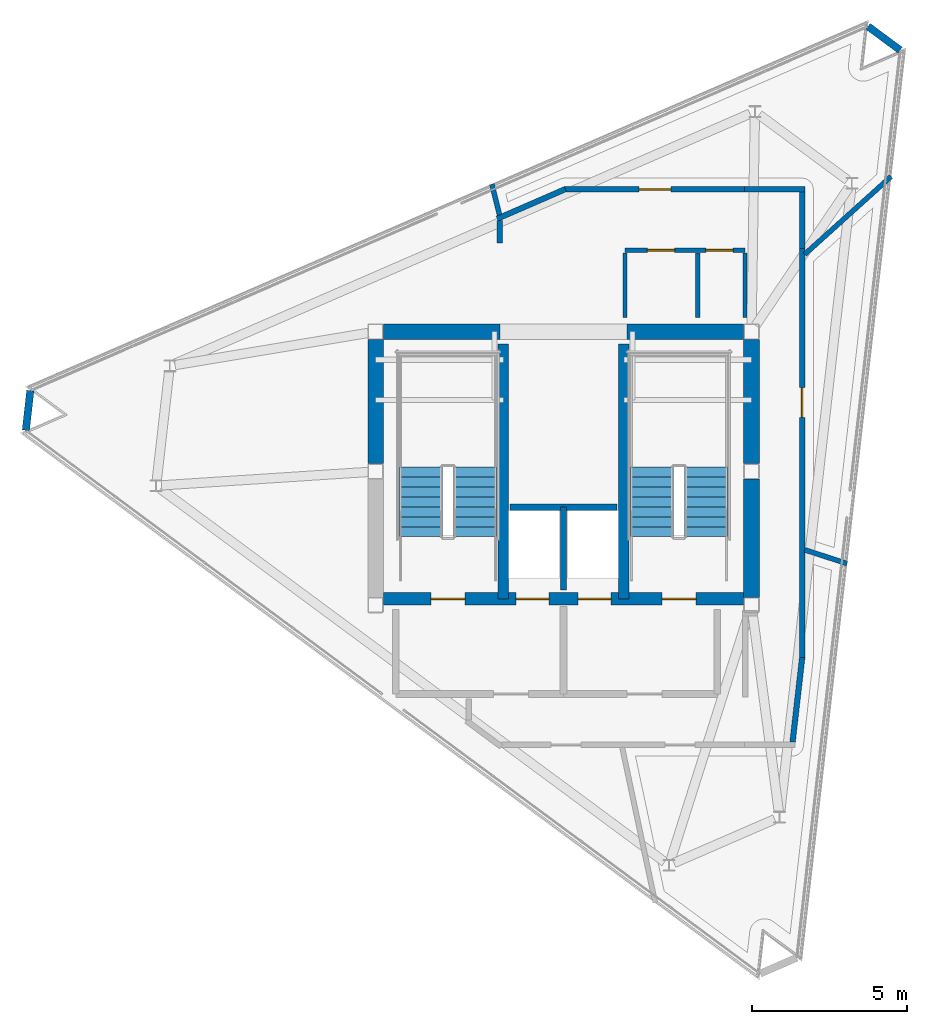
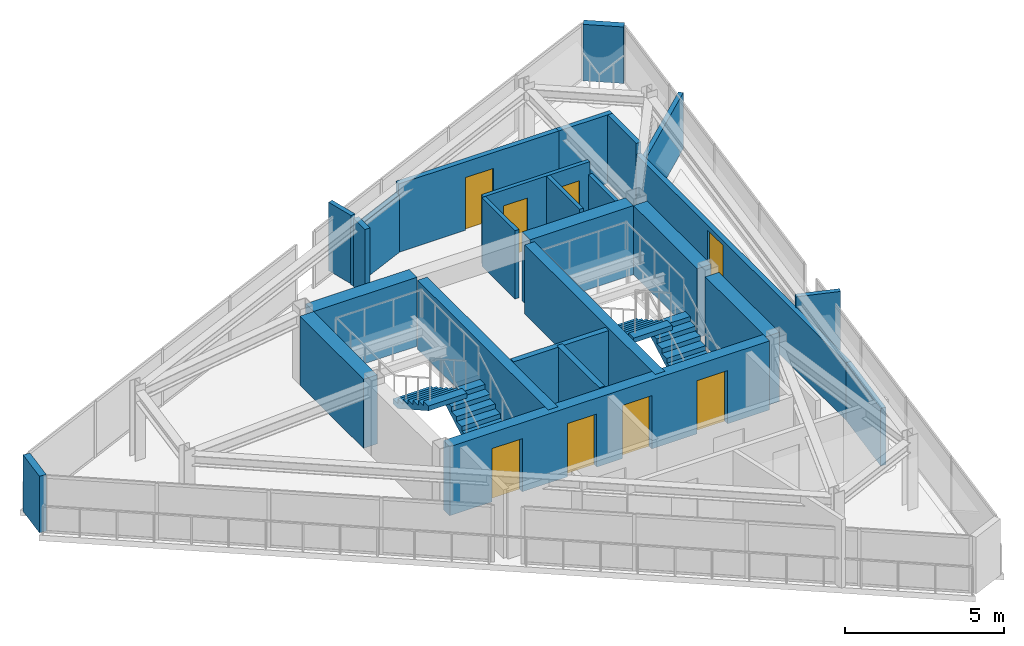
# One storey, part 7 of 9: 26 walls, 8 doors, 4 stair flights, 8 openings, 2 elements without a shape of their own.
"""IFC4 building model written with IfcOpenShell, lengths in metres."""

from ifc_helpers import new_model, si_unit, direction, frame, frame_2d, origin, place, context, subcontext, project, spatial, polyline, rectangle, outline, extrude, material, layer, layer_set, type_object, element, fill, aggregate, save


model = new_model("IFC4")

# Units and contexts
model_context = context("Model", 3, precision=1e-05, world=origin(), true_north=direction((0.0, 1.0)))
body_context = subcontext(model_context, "Body", "Model", "MODEL_VIEW")
ifc_project = project(units=[si_unit("LENGTHUNIT", "METRE"), si_unit("AREAUNIT", "SQUARE_METRE"), si_unit("VOLUMEUNIT", "CUBIC_METRE"), si_unit("PLANEANGLEUNIT", "RADIAN"), si_unit("MASSUNIT", "GRAM", prefix="KILO")], contexts=[model_context])

# Site, building, storey
site_placement = place(None, origin())
site = spatial("IfcSite", under=ifc_project, at=site_placement, CompositionType="ELEMENT")
building_placement = place(site_placement, origin())
building = spatial("IfcBuilding", under=site, at=building_placement, Name="Rocaltana Carrier Exchange", CompositionType="ELEMENT")
storey_placement = place(building_placement, frame((0.0, 0.0, 249.1201171875)))
storey = spatial("IfcBuildingStorey", under=building, at=storey_placement, Name="L79", CompositionType="ELEMENT", Elevation=249.1201171875)

# Walls
ifc_material_1 = material(Name="Double Acoustic Gypsum Partition", Category="gypsum")
ifc_layer_1 = layer(ifc_material_1, 0.159912109375)
ifc_layer_set_1 = layer_set([ifc_layer_1], Name="Double Acoustic Gypsum Partition")
wall_type_1 = type_object("IfcWallType", Name="Acoustic Studio Partition 160 EI60", PredefinedType="PARTITIONING", material=ifc_layer_set_1)
wall_1_placement = place(storey_placement, frame((7.760009765625, -2.521484375, 0.0), z_axis=(0.0, 0.0, 1.0), x_axis=(0.951056587506, -0.30901677521, 0.0)))
element("IfcWall", 1, at=wall_1_placement, inside=storey, type_object=wall_type_1, Name="L79 Suite Divider Wall D2", PredefinedType="PARTITIONING", context=body_context, shape_type="SweptSolid", body=[
    extrude(rectangle(XDim=1.433837890625, YDim=0.159912109375, at=frame_2d((0.716796875, 0.0))), origin(), (0.0, 0.0, 1.0), 2.622802734375),
])
wall_2_placement = place(storey_placement, frame((7.760009765625, 6.987060546875, 0.0), z_axis=(0.0, 0.0, 1.0), x_axis=(0.743132057251, 0.669144786639, 0.0)))
element("IfcWall", 2, at=wall_2_placement, inside=storey, type_object=wall_type_1, Name="L79 Suite Divider Wall D3", PredefinedType="PARTITIONING", context=body_context, shape_type="SweptSolid", body=[
    extrude(rectangle(XDim=3.7451171875, YDim=0.159912109375, at=frame_2d((1.87255859375, 0.0))), origin(), (0.0, 0.0, 1.0), 2.15283203125),
])
wall_3_placement = place(storey_placement, frame((-2.05810546875, 8.2548828125, 0.0), z_axis=(0.0, 0.0, 1.0), x_axis=(-0.242030631144, 0.970268608988, 0.0)))
element("IfcWall", 3, at=wall_3_placement, inside=storey, type_object=wall_type_1, Name="L79 Suite Divider Wall D4", PredefinedType="PARTITIONING", context=body_context, shape_type="SweptSolid", body=[
    extrude(rectangle(XDim=1.02392578125, YDim=0.159912109375, at=frame_2d((0.511962890625, 0.0))), origin(), (0.0, 0.0, 1.0), 2.622802734375),
])
ifc_material_2 = material(Name="Concrete C50/60", Category="concrete")
ifc_layer_2 = layer(ifc_material_2, 0.35009765625)
ifc_layer_set_2 = layer_set([ifc_layer_2], Name="Concrete C50/60")
wall_type_2 = type_object("IfcWallType", Name="Core Internal Shear Wall 350", PredefinedType="SHEAR", material=ifc_layer_set_2)
for number, where, z_axis, x_axis, name in (
    (4, (-1.93994140625, -4.10009765625, 0.0), (0.0, 0.0, 1.0), (0.0, 1.0, 0.0), "L79 Core Shear Wall CW-STW"),
    (5, (1.93994140625, -4.10009765625, 0.0), (0.0, 0.0, 1.0), (0.0, 1.0, 0.0), "L79 Core Shear Wall CW-STE"),
):
    element("IfcWall", number, at=place(storey_placement, frame(where, z_axis=z_axis, x_axis=x_axis)), inside=storey, type_object=wall_type_2, Name=name, PredefinedType="SHEAR", context=body_context, shape_type="SweptSolid", body=[
        extrude(rectangle(XDim=8.2001953125, YDim=0.35009765625, at=frame_2d((4.10009765625, 0.0))), origin(), (0.0, 0.0, 1.0), 2.64794921875),
    ])

# Wall, openings, doors
ifc_material_3 = material(Name="Concrete C50/60", Category="concrete")
ifc_layer_3 = layer(ifc_material_3, 0.39990234375)
ifc_layer_set_3 = layer_set([ifc_layer_3], Name="Concrete C50/60")
wall_type_3 = type_object("IfcWallType", Name="Core Internal Shear Wall 400", PredefinedType="SHEAR", material=ifc_layer_set_3)
wall_4_placement = place(storey_placement, frame((-5.800048828125, -4.10009765625, 0.0), z_axis=(0.0, 0.0, 1.0), x_axis=(1.0, 0.0, 0.0)))
wall_4 = element("IfcWall", 6, at=wall_4_placement, inside=storey, type_object=wall_type_3, Name="L79 Core Shear Wall CW-S", PredefinedType="SHEAR", context=body_context, shape_type="SweptSolid", body=[
    extrude(rectangle(XDim=11.60009765625, YDim=0.39990234375, at=frame_2d((5.800048828125, 0.0))), origin(), (0.0, 0.0, 1.0), 2.64794921875),
])
opening_1_placement = place(wall_4_placement, frame((1.530029296875, 0.0, 0.0)))
opening_1 = element("IfcOpeningElement", 7, at=opening_1_placement, cuts=wall_4, Name="Opening D-ST110", PredefinedType="OPENING", context=body_context, shape_type="SweptSolid", body=[
    extrude(rectangle(XDim=1.10009765625, YDim=2.0400390625, at=frame_2d((0.550048828125, 1.02001953125))), frame((0.0, 0.2099609375, 0.0), z_axis=(0.0, -1.0, 0.0), x_axis=(1.0, 0.0, 0.0)), (0.0, 0.0, 1.0), 0.419921875),
])
opening_2_placement = place(wall_4_placement, frame((8.969970703125, 0.0, 0.0)))
opening_2 = element("IfcOpeningElement", 8, at=opening_2_placement, cuts=wall_4, Name="Opening D-ST110", PredefinedType="OPENING", context=body_context, shape_type="SweptSolid", body=[
    extrude(rectangle(XDim=1.10009765625, YDim=2.0400390625, at=frame_2d((0.550048828125, 1.02001953125))), frame((0.0, 0.2099609375, 0.0), z_axis=(0.0, -1.0, 0.0), x_axis=(1.0, 0.0, 0.0)), (0.0, 0.0, 1.0), 0.419921875),
])
opening_3_placement = place(wall_4_placement, frame((4.27001953125, 0.0, 0.0)))
opening_3 = element("IfcOpeningElement", 9, at=opening_3_placement, cuts=wall_4, Name="Opening LD-110", PredefinedType="OPENING", context=body_context, shape_type="SweptSolid", body=[
    extrude(rectangle(XDim=1.06005859375, YDim=2.0400390625, at=frame_2d((0.530029296875, 1.02001953125))), frame((0.0, 0.2099609375, 0.0), z_axis=(0.0, -1.0, 0.0), x_axis=(1.0, 0.0, 0.0)), (0.0, 0.0, 1.0), 0.419921875),
])
opening_4_placement = place(wall_4_placement, frame((6.27001953125, 0.0, 0.0)))
opening_4 = element("IfcOpeningElement", 10, at=opening_4_placement, cuts=wall_4, Name="Opening LD-110", PredefinedType="OPENING", context=body_context, shape_type="SweptSolid", body=[
    extrude(rectangle(XDim=1.06005859375, YDim=2.0400390625, at=frame_2d((0.530029296875, 1.02001953125))), frame((0.0, 0.2099609375, 0.0), z_axis=(0.0, -1.0, 0.0), x_axis=(1.0, 0.0, 0.0)), (0.0, 0.0, 1.0), 0.419921875),
])
ifc_material_4 = material(Name="Hollow Metal Fire Door Assembly", Category="steel")
door_type_1 = type_object("IfcDoorType", Name="Exit Stair Fire Door 1100x2040 FD90S", OperationType="NOTDEFINED", PredefinedType="DOOR", material=ifc_material_4)
door_1_placement = place(opening_1_placement, origin())
door_1 = element("IfcDoor", 11, at=door_1_placement, inside=storey, type_object=door_type_1, Name="L79 Exit Stair ST1 Fire Door", OperationType="SINGLE_SWING_LEFT", OverallHeight=2.0400390625, OverallWidth=1.10009765625, PredefinedType="DOOR", context=body_context, shape_type="SweptSolid", body=[
    extrude(rectangle(XDim=1.10009765625, YDim=2.0400390625, at=frame_2d((0.550048828125, 1.02001953125))), frame((0.0, 0.02490234375, 0.0), z_axis=(0.0, -1.0, 0.0), x_axis=(1.0, 0.0, 0.0)), (0.0, 0.0, 1.0), 0.050048828125),
])
fill(opening_1, door_1)
door_2_placement = place(opening_2_placement, origin())
door_2 = element("IfcDoor", 12, at=door_2_placement, inside=storey, type_object=door_type_1, Name="L79 Exit Stair ST2 Fire Door", OperationType="SINGLE_SWING_RIGHT", OverallHeight=2.0400390625, OverallWidth=1.10009765625, PredefinedType="DOOR", context=body_context, shape_type="SweptSolid", body=[
    extrude(rectangle(XDim=1.10009765625, YDim=2.0400390625, at=frame_2d((0.550048828125, 1.02001953125))), frame((0.0, 0.02490234375, 0.0), z_axis=(0.0, -1.0, 0.0), x_axis=(1.0, 0.0, 0.0)), (0.0, 0.0, 1.0), 0.050048828125),
])
fill(opening_2, door_2)
ifc_material_5 = material(Name="Brushed Stainless Sliding Door Leaf", Category="steel")
door_type_2 = type_object("IfcDoorType", Name="Lift Landing Sliding Door 1060x2040", OperationType="NOTDEFINED", PredefinedType="DOOR", material=ifc_material_5)
door_3_placement = place(opening_3_placement, origin())
door_3 = element("IfcDoor", 13, at=door_3_placement, inside=storey, type_object=door_type_2, Name="L79 Firefighting Lift FFL1 Landing Door", OperationType="SLIDING_TO_LEFT", OverallHeight=2.0400390625, OverallWidth=1.06005859375, PredefinedType="DOOR", context=body_context, shape_type="SweptSolid", body=[
    extrude(rectangle(XDim=1.06005859375, YDim=2.0400390625, at=frame_2d((0.530029296875, 1.02001953125))), frame((0.0, 0.02490234375, 0.0), z_axis=(0.0, -1.0, 0.0), x_axis=(1.0, 0.0, 0.0)), (0.0, 0.0, 1.0), 0.050048828125),
])
fill(opening_3, door_3)
door_4_placement = place(opening_4_placement, origin())
door_4 = element("IfcDoor", 14, at=door_4_placement, inside=storey, type_object=door_type_2, Name="L79 Firefighting Lift FFL2 Landing Door", OperationType="SLIDING_TO_RIGHT", OverallHeight=2.0400390625, OverallWidth=1.06005859375, PredefinedType="DOOR", context=body_context, shape_type="SweptSolid", body=[
    extrude(rectangle(XDim=1.06005859375, YDim=2.0400390625, at=frame_2d((0.530029296875, 1.02001953125))), frame((0.0, 0.02490234375, 0.0), z_axis=(0.0, -1.0, 0.0), x_axis=(1.0, 0.0, 0.0)), (0.0, 0.0, 1.0), 0.050048828125),
])
fill(opening_4, door_4)

# Walls
ifc_material_6 = material(Name="Concrete C50/60", Category="concrete")
ifc_layer_4 = layer(ifc_material_6, 0.5)
ifc_layer_set_4 = layer_set([ifc_layer_4], Name="Concrete C50/60")
wall_type_4 = type_object("IfcWallType", Name="Core Shear Wall 500", PredefinedType="SHEAR", material=ifc_layer_set_4)
for number, where, z_axis, x_axis, name in (
    (15, (-6.050048828125, 0.25, 0.0), (0.0, 0.0, 1.0), (0.0, 1.0, 0.0), "L79 Core Shear Wall CW-WN"),
    (16, (6.050048828125, 0.25, 0.0), (0.0, 0.0, 1.0), (0.0, 1.0, 0.0), "L79 Core Shear Wall CW-EN"),
):
    element("IfcWall", number, at=place(storey_placement, frame(where, z_axis=z_axis, x_axis=x_axis)), inside=storey, type_object=wall_type_4, Name=name, PredefinedType="SHEAR", context=body_context, shape_type="SweptSolid", body=[
        extrude(rectangle(XDim=4.0, YDim=0.5, at=frame_2d((2.0, 0.0))), origin(), (0.0, 0.0, 1.0), 2.64794921875),
    ])
wall_5_placement = place(storey_placement, frame((6.050048828125, -4.050048828125, 0.0), z_axis=(0.0, 0.0, 1.0), x_axis=(0.0, 1.0, 0.0)))
element("IfcWall", 17, at=wall_5_placement, inside=storey, type_object=wall_type_4, Name="L79 Core Shear Wall CW-ES", PredefinedType="SHEAR", context=body_context, shape_type="SweptSolid", body=[
    extrude(rectangle(XDim=3.800048828125, YDim=0.5, at=frame_2d((1.89990234375, 0.0))), origin(), (0.0, 0.0, 1.0), 2.64794921875),
])
for number, where, z_axis, x_axis, name in (
    (18, (-5.800048828125, 4.5, 0.0), (0.0, 0.0, 1.0), (1.0, 0.0, 0.0), "L79 Core Shear Wall CW-N1"),
    (19, (2.050048828125, 4.5, 0.0), (0.0, 0.0, 1.0), (1.0, 0.0, 0.0), "L79 Core Shear Wall CW-N2"),
):
    element("IfcWall", number, at=place(storey_placement, frame(where, z_axis=z_axis, x_axis=x_axis)), inside=storey, type_object=wall_type_4, Name=name, PredefinedType="SHEAR", context=body_context, shape_type="SweptSolid", body=[
        extrude(rectangle(XDim=3.75, YDim=0.5, at=frame_2d((1.875, 0.0))), origin(), (0.0, 0.0, 1.0), 2.64794921875),
    ])
ifc_material_7 = material(Name="Gypsum & Steel Stud Partition", Category="steel")
ifc_layer_5 = layer(ifc_material_7, 0.179931640625)
ifc_layer_set_5 = layer_set([ifc_layer_5], Name="Gypsum & Steel Stud Partition")
wall_type_5 = type_object("IfcWallType", Name="Corridor Fire Partition 180 EI60", PredefinedType="PARTITIONING", material=ifc_layer_set_5)
wall_6_placement = place(storey_placement, frame((-2.050048828125, 7.360107421875, 0.0), z_axis=(0.0, 0.0, 1.0), x_axis=(0.0, 1.0, 0.0)))
element("IfcWall", 20, at=wall_6_placement, inside=storey, type_object=wall_type_5, Name="L79 Corridor Partition 6", PredefinedType="PARTITIONING", context=body_context, shape_type="SweptSolid", body=[
    extrude(rectangle(XDim=0.720947265625, YDim=0.179931640625, at=frame_2d((0.3603515625, 0.0))), origin(), (0.0, 0.0, 1.0), 2.622802734375),
])
wall_7_placement = place(storey_placement, frame((-2.132568359375, 8.13525390625, 0.0), z_axis=(0.0, 0.0, 1.0), x_axis=(0.917076554143, 0.398711165935, 0.0)))
element("IfcWall", 21, at=wall_7_placement, inside=storey, type_object=wall_type_5, Name="L79 Corridor Partition 7", PredefinedType="PARTITIONING", context=body_context, shape_type="SweptSolid", body=[
    extrude(rectangle(XDim=2.389404296875, YDim=0.179931640625, at=frame_2d((1.19482421875, 0.0))), origin(), (0.0, 0.0, 1.0), 2.202880859375),
])

# Wall, opening, door
wall_8_placement = place(storey_placement, frame((0.020263671875, 9.080078125, 0.0), z_axis=(0.0, 0.0, 1.0), x_axis=(1.0, 0.0, 0.0)))
wall_8 = element("IfcWall", 22, at=wall_8_placement, inside=storey, type_object=wall_type_5, Name="L79 Corridor Partition 8", PredefinedType="PARTITIONING", context=body_context, shape_type="SweptSolid", body=[
    extrude(rectangle(XDim=5.849853515625, YDim=0.179931640625, at=frame_2d((2.9248046875, 0.0))), origin(), (0.0, 0.0, 1.0), 2.622802734375),
])
opening_5_placement = place(wall_8_placement, frame((2.414794921875, 0.0, 0.0)))
opening_5 = element("IfcOpeningElement", 23, at=opening_5_placement, cuts=wall_8, Name="Opening D-LB104", PredefinedType="OPENING", context=body_context, shape_type="SweptSolid", body=[
    extrude(rectangle(XDim=1.02001953125, YDim=2.02001953125, at=frame_2d((0.510009765625, 1.010009765625))), frame((0.0, 0.099853515625, 0.0), z_axis=(0.0, -1.0, 0.0), x_axis=(1.0, 0.0, 0.0)), (0.0, 0.0, 1.0), 0.199951171875),
])
ifc_material_8 = material(Name="Powder-Coated Aluminium 6063-T6", Category="aluminium")
door_type_3 = type_object("IfcDoorType", Name="Laboratory Acoustic Door 1020x2020", OperationType="NOTDEFINED", PredefinedType="DOOR", material=ifc_material_8)
door_5_placement = place(opening_5_placement, origin())
door_5 = element("IfcDoor", 24, at=door_5_placement, inside=storey, type_object=door_type_3, Name="L79 Photonic Integration Workshop Entrance Door", OperationType="SINGLE_SWING_RIGHT", OverallHeight=2.02001953125, OverallWidth=1.02001953125, PredefinedType="DOOR", context=body_context, shape_type="SweptSolid", body=[
    extrude(rectangle(XDim=1.02001953125, YDim=2.02001953125, at=frame_2d((0.510009765625, 1.010009765625))), frame((0.0, 0.02490234375, 0.0), z_axis=(0.0, -1.0, 0.0), x_axis=(1.0, 0.0, 0.0)), (0.0, 0.0, 1.0), 0.050048828125),
])
fill(opening_5, door_5)

# Walls
wall_9_placement = place(storey_placement, frame((5.830078125, 9.080078125, 0.0), z_axis=(0.0, 0.0, 1.0), x_axis=(1.0, 0.0, 0.0)))
element("IfcWall", 25, at=wall_9_placement, inside=storey, type_object=wall_type_5, Name="L79 Corridor Partition 9", PredefinedType="PARTITIONING", context=body_context, shape_type="SweptSolid", body=[
    extrude(rectangle(XDim=1.93994140625, YDim=0.179931640625, at=frame_2d((0.969970703125, 0.0))), origin(), (0.0, 0.0, 1.0), 2.622802734375),
])
wall_10_placement = place(storey_placement, frame((7.679931640625, 8.989990234375, 0.0), z_axis=(0.0, 0.0, 1.0), x_axis=(0.0, -1.0, 0.0)))
element("IfcWall", 26, at=wall_10_placement, inside=storey, type_object=wall_type_5, Name="L79 Corridor Partition 10", PredefinedType="PARTITIONING", context=body_context, shape_type="SweptSolid", body=[
    extrude(rectangle(XDim=1.81005859375, YDim=0.179931640625, at=frame_2d((0.905029296875, 0.0))), origin(), (0.0, 0.0, 1.0), 2.622802734375),
])

# Wall, opening, door
wall_11_placement = place(storey_placement, frame((7.679931640625, 7.219970703125, 0.0), z_axis=(0.0, 0.0, 1.0), x_axis=(0.0, -1.0, 0.0)))
wall_11 = element("IfcWall", 27, at=wall_11_placement, inside=storey, type_object=wall_type_5, Name="L79 Corridor Partition 11", PredefinedType="PARTITIONING", context=body_context, shape_type="SweptSolid", body=[
    extrude(rectangle(XDim=13.248291015625, YDim=0.179931640625, at=frame_2d((6.6240234375, 0.0))), origin(), (0.0, 0.0, 1.0), 2.202880859375),
])
opening_6_placement = place(wall_11_placement, frame((4.51953125, 0.0, 0.0)))
opening_6 = element("IfcOpeningElement", 28, at=opening_6_placement, cuts=wall_11, Name="Opening D-RM098", PredefinedType="OPENING", context=body_context, shape_type="SweptSolid", body=[
    extrude(rectangle(XDim=0.9599609375, YDim=2.02001953125, at=frame_2d((0.47998046875, 1.010009765625))), frame((0.0, 0.099853515625, 0.0), z_axis=(0.0, -1.0, 0.0), x_axis=(1.0, 0.0, 0.0)), (0.0, 0.0, 1.0), 0.199951171875),
])
ifc_material_9 = material(Name="Engineered Hardwood Timber", Category="wood")
door_type_4 = type_object("IfcDoorType", Name="Workspace Single Door 960x2020", OperationType="NOTDEFINED", PredefinedType="DOOR", material=ifc_material_9)
door_6_placement = place(opening_6_placement, origin())
door_6 = element("IfcDoor", 29, at=door_6_placement, inside=storey, type_object=door_type_4, Name="L79 Client Reception Foyer Entrance Door", OperationType="SINGLE_SWING_LEFT", OverallHeight=2.02001953125, OverallWidth=0.9599609375, PredefinedType="DOOR", context=body_context, shape_type="SweptSolid", body=[
    extrude(rectangle(XDim=0.9599609375, YDim=2.02001953125, at=frame_2d((0.47998046875, 1.010009765625))), frame((0.0, 0.02490234375, 0.0), z_axis=(0.0, -1.0, 0.0), x_axis=(1.0, 0.0, 0.0)), (0.0, 0.0, 1.0), 0.050048828125),
])
fill(opening_6, door_6)

# Walls
wall_12_placement = place(storey_placement, frame((7.682373046875, -5.988525390625, 0.0), z_axis=(0.0, 0.0, 1.0), x_axis=(-0.113257574401, -0.993565660558, 0.0)))
element("IfcWall", 30, at=wall_12_placement, inside=storey, type_object=wall_type_5, Name="L79 Corridor Partition 12", PredefinedType="PARTITIONING", context=body_context, shape_type="SweptSolid", body=[
    extrude(rectangle(XDim=2.73974609375, YDim=0.179931640625, at=frame_2d((1.369873046875, 0.0))), origin(), (0.0, 0.0, 1.0), 2.202880859375),
])
ifc_material_10 = material(Name="Reinforced Concrete Block C35/45", Category="concrete")
ifc_layer_6 = layer(ifc_material_10, 0.199951171875)
ifc_layer_set_6 = layer_set([ifc_layer_6], Name="Reinforced Concrete Block C35/45")
wall_type_6 = type_object("IfcWallType", Name="Lift Hoistway Enclosure Wall 200 EI120", PredefinedType="PARTITIONING", material=ifc_layer_set_6)
wall_13_placement = place(storey_placement, frame((0.0, -3.820068359375, 0.0), z_axis=(0.0, 0.0, 1.0), x_axis=(0.0, 1.0, 0.0)))
element("IfcWall", 31, at=wall_13_placement, inside=storey, type_object=wall_type_6, Name="L79 FFL Shaft Divider", PredefinedType="PARTITIONING", context=body_context, shape_type="SweptSolid", body=[
    extrude(rectangle(XDim=2.670166015625, YDim=0.199951171875, at=frame_2d((1.3349609375, 0.0))), origin(), (0.0, 0.0, 1.0), 2.622802734375),
])
wall_14_placement = place(storey_placement, frame((-1.719970703125, -1.14990234375, 0.0), z_axis=(0.0, 0.0, 1.0), x_axis=(1.0, 0.0, 0.0)))
element("IfcWall", 32, at=wall_14_placement, inside=storey, type_object=wall_type_6, Name="L79 FFL Shaft Back Wall", PredefinedType="PARTITIONING", context=body_context, shape_type="SweptSolid", body=[
    extrude(rectangle(XDim=3.43994140625, YDim=0.199951171875, at=frame_2d((1.719970703125, 0.0))), origin(), (0.0, 0.0, 1.0), 2.622802734375),
])
ifc_material_11 = material(Name="Precast sandstone concrete C40/50", Category="masonry")
ifc_layer_7 = layer(ifc_material_11, 0.239990234375)
ifc_layer_set_7 = layer_set([ifc_layer_7], Name="Precast sandstone concrete C40/50")
wall_type_7 = type_object("IfcWallType", Name="Terrace Stone Parapet Wall 240", PredefinedType="PARAPET", material=ifc_layer_set_7)
for number, where, z_axis, x_axis, name in (
    (33, (10.835693359375, 13.560546875, 0.0), (0.0, 0.0, 1.0), (-0.803849147956, 0.594833209673, 0.0), "L79 Crown Corner Mullion Wall C1"),
    (34, (-17.16162109375, 2.603515625, 0.0), (0.0, 0.0, 1.0), (-0.11313504355, -0.993579620323, 0.0), "L79 Crown Corner Mullion Wall C2"),
):
    element("IfcWall", number, at=place(storey_placement, frame(where, z_axis=z_axis, x_axis=x_axis)), inside=storey, type_object=wall_type_7, Name=name, PredefinedType="PARAPET", context=body_context, shape_type="SweptSolid", body=[
        extrude(rectangle(XDim=1.288330078125, YDim=0.239990234375, at=frame_2d((0.64404296875, 0.0))), origin(), (0.0, 0.0, 1.0), 2.16796875),
    ])
ifc_material_12 = material(Name="Moisture-Resistant Masonry C30/37", Category="masonry")
ifc_layer_8 = layer(ifc_material_12, 0.139892578125)
ifc_layer_set_8 = layer_set([ifc_layer_8], Name="Moisture-Resistant Masonry C30/37")
wall_type_8 = type_object("IfcWallType", Name="Wet-Area Sanitary Partition 140", PredefinedType="PARTITIONING", material=ifc_layer_set_8)
wall_15_placement = place(storey_placement, frame((1.97998046875, 4.949951171875, 0.0), z_axis=(0.0, 0.0, 1.0), x_axis=(0.0, 1.0, 0.0)))
element("IfcWall", 35, at=wall_15_placement, inside=storey, type_object=wall_type_8, Name="L79 Sanitary West Wall", PredefinedType="PARTITIONING", context=body_context, shape_type="SweptSolid", body=[
    extrude(rectangle(XDim=2.090087890625, YDim=0.139892578125, at=frame_2d((1.044921875, 0.0))), origin(), (0.0, 0.0, 1.0), 2.622802734375),
])
wall_16_placement = place(storey_placement, frame((5.840087890625, 4.949951171875, 0.0), z_axis=(0.0, 0.0, 1.0), x_axis=(0.0, 1.0, 0.0)))
element("IfcWall", 36, at=wall_16_placement, inside=storey, type_object=wall_type_8, Name="L79 Sanitary East Wall", PredefinedType="PARTITIONING", context=body_context, shape_type="SweptSolid", body=[
    extrude(rectangle(XDim=2.090087890625, YDim=0.139892578125, at=frame_2d((1.044921875, 0.0))), origin(), (0.0, 0.0, 1.0), 2.15283203125),
])

# Wall, openings, doors
wall_17_placement = place(storey_placement, frame((1.97998046875, 7.1201171875, 0.0), z_axis=(0.0, 0.0, 1.0), x_axis=(1.0, 0.0, 0.0)))
wall_17 = element("IfcWall", 37, at=wall_17_placement, inside=storey, type_object=wall_type_8, Name="L79 Sanitary North Wall", PredefinedType="PARTITIONING", context=body_context, shape_type="SweptSolid", body=[
    extrude(rectangle(XDim=3.860107421875, YDim=0.139892578125, at=frame_2d((1.93017578125, 0.0))), origin(), (0.0, 0.0, 1.0), 2.622802734375),
])
opening_7_placement = place(wall_17_placement, frame((0.719970703125, 0.0, 0.0)))
opening_7 = element("IfcOpeningElement", 38, at=opening_7_placement, cuts=wall_17, Name="Opening D-WC090", PredefinedType="OPENING", context=body_context, shape_type="SweptSolid", body=[
    extrude(rectangle(XDim=0.8798828125, YDim=2.02001953125, at=frame_2d((0.43994140625, 1.010009765625))), frame((0.0, 0.079833984375, 0.0), z_axis=(0.0, -1.0, 0.0), x_axis=(1.0, 0.0, 0.0)), (0.0, 0.0, 1.0), 0.159912109375),
])
opening_8_placement = place(wall_17_placement, frame((2.60009765625, 0.0, 0.0)))
opening_8 = element("IfcOpeningElement", 39, at=opening_8_placement, cuts=wall_17, Name="Opening D-WC090", PredefinedType="OPENING", context=body_context, shape_type="SweptSolid", body=[
    extrude(rectangle(XDim=0.8798828125, YDim=2.02001953125, at=frame_2d((0.43994140625, 1.010009765625))), frame((0.0, 0.079833984375, 0.0), z_axis=(0.0, -1.0, 0.0), x_axis=(1.0, 0.0, 0.0)), (0.0, 0.0, 1.0), 0.159912109375),
])
ifc_material_13 = material(Name="High-Pressure Laminate Timber", Category="wood")
door_type_5 = type_object("IfcDoorType", Name="Restroom & Accessible WC Door 880x2020", OperationType="NOTDEFINED", PredefinedType="DOOR", material=ifc_material_13)
door_7_placement = place(opening_7_placement, origin())
door_7 = element("IfcDoor", 40, at=door_7_placement, inside=storey, type_object=door_type_5, Name="L79 Accessible Toilet Door", OperationType="SINGLE_SWING_LEFT", OverallHeight=2.02001953125, OverallWidth=0.8798828125, PredefinedType="DOOR", context=body_context, shape_type="SweptSolid", body=[
    extrude(rectangle(XDim=0.8798828125, YDim=2.02001953125, at=frame_2d((0.43994140625, 1.010009765625))), frame((0.0, 0.02490234375, 0.0), z_axis=(0.0, -1.0, 0.0), x_axis=(1.0, 0.0, 0.0)), (0.0, 0.0, 1.0), 0.050048828125),
])
fill(opening_7, door_7)
door_8_placement = place(opening_8_placement, origin())
door_8 = element("IfcDoor", 41, at=door_8_placement, inside=storey, type_object=door_type_5, Name="L79 Staff Restroom Door", OperationType="SINGLE_SWING_RIGHT", OverallHeight=2.02001953125, OverallWidth=0.8798828125, PredefinedType="DOOR", context=body_context, shape_type="SweptSolid", body=[
    extrude(rectangle(XDim=0.8798828125, YDim=2.02001953125, at=frame_2d((0.43994140625, 1.010009765625))), frame((0.0, 0.02490234375, 0.0), z_axis=(0.0, -1.0, 0.0), x_axis=(1.0, 0.0, 0.0)), (0.0, 0.0, 1.0), 0.050048828125),
])
fill(opening_8, door_8)

# Wall
wall_18_placement = place(storey_placement, frame((4.320068359375, 4.949951171875, 0.0), z_axis=(0.0, 0.0, 1.0), x_axis=(0.0, 1.0, 0.0)))
element("IfcWall", 42, at=wall_18_placement, inside=storey, type_object=wall_type_8, Name="L79 Sanitary Divider", PredefinedType="PARTITIONING", context=body_context, shape_type="SweptSolid", body=[
    extrude(rectangle(XDim=2.090087890625, YDim=0.139892578125, at=frame_2d((1.044921875, 0.0))), origin(), (0.0, 0.0, 1.0), 2.622802734375),
])

# Stair, stair flights
ifc_material_14 = material(Name="Precast concrete C45/55", Category="concrete")
stair_type = type_object("IfcStairType", Name="Standard Dog-Leg Stair 160", PredefinedType="HALF_TURN_STAIR", material=ifc_material_14)
stair_1_placement = place(storey_placement, origin())
stair_1 = element("IfcStair", 43, at=stair_1_placement, inside=storey, type_object=stair_type, Name="L79 Core West Exit Stair ST-1", PredefinedType="HALF_TURN_STAIR")
ifc_material_15 = material(Name="Precast concrete C45/55", Category="concrete")
stair_flight_type = type_object("IfcStairFlightType", Name="Precast Stair Flight 160", PredefinedType="STRAIGHT", material=ifc_material_15)
stair_flight_1_placement = place(storey_placement, frame((-2.840087890625, -2.10009765625, 0.0), z_axis=(0.0, 0.0, 1.0), x_axis=(0.0, 1.0, 0.0)))
stair_flight_1 = element("IfcStairFlight", 44, at=stair_flight_1_placement, type_object=stair_flight_type, Name="ST-1 flight 1", NumberOfRisers=8, NumberOfTreads=7, PredefinedType="STRAIGHT", RiserHeight=0.18, TreadLength=0.32, context=body_context, shape_type="SweptSolid", body=[
    extrude(outline(polyline([(0.0, 0.0), (0.0, 0.179931640625), (0.320068359375, 0.179931640625), (0.320068359375, 0.360107421875), (0.639892578125, 0.360107421875), (0.639892578125, 0.5400390625), (0.9599609375, 0.5400390625), (0.9599609375, 0.719970703125), (1.280029296875, 0.719970703125), (1.280029296875, 0.89990234375), (1.60009765625, 0.89990234375), (1.60009765625, 1.080078125), (1.919921875, 1.080078125), (1.919921875, 1.260009765625), (2.239990234375, 1.260009765625), (2.239990234375, 1.43994140625), (2.239990234375, 1.076416015625), (0.326171875, 0.0), (0.0, 0.0)])), frame((0.0, 0.699951171875, 0.0), z_axis=(0.0, -1.0, 0.0), x_axis=(1.0, 0.0, 0.0)), (0.0, 0.0, 1.0), 1.39990234375),
])
stair_flight_2_placement = place(storey_placement, frame((-4.60009765625, 0.139892578125, 1.43994140625), z_axis=(0.0, 0.0, 1.0), x_axis=(0.0, -1.0, 0.0)))
stair_flight_2 = element("IfcStairFlight", 45, at=stair_flight_2_placement, type_object=stair_flight_type, Name="ST-1 flight 2", NumberOfRisers=8, NumberOfTreads=7, PredefinedType="STRAIGHT", RiserHeight=0.18, TreadLength=0.32, context=body_context, shape_type="SweptSolid", body=[
    extrude(outline(polyline([(0.0, 0.0), (0.0, 0.179931640625), (0.320068359375, 0.179931640625), (0.320068359375, 0.360107421875), (0.639892578125, 0.360107421875), (0.639892578125, 0.5400390625), (0.9599609375, 0.5400390625), (0.9599609375, 0.719970703125), (1.280029296875, 0.719970703125), (1.280029296875, 0.89990234375), (1.60009765625, 0.89990234375), (1.60009765625, 1.080078125), (1.919921875, 1.080078125), (1.919921875, 1.260009765625), (2.239990234375, 1.260009765625), (2.239990234375, 1.43994140625), (2.239990234375, 1.076416015625), (0.326171875, 0.0), (0.0, 0.0)])), frame((0.0, 0.699951171875, 0.0), z_axis=(0.0, -1.0, 0.0), x_axis=(1.0, 0.0, 0.0)), (0.0, 0.0, 1.0), 1.39990234375),
])
aggregate(stair_1, [stair_flight_1, stair_flight_2])

stair_2_placement = place(storey_placement, origin())
stair_2 = element("IfcStair", 46, at=stair_2_placement, inside=storey, type_object=stair_type, Name="L79 Core East Exit Stair ST-2", PredefinedType="HALF_TURN_STAIR")
stair_flight_3_placement = place(storey_placement, frame((4.60009765625, -2.10009765625, 0.0), z_axis=(0.0, 0.0, 1.0), x_axis=(0.0, 1.0, 0.0)))
stair_flight_3 = element("IfcStairFlight", 47, at=stair_flight_3_placement, type_object=stair_flight_type, Name="ST-2 flight 1", NumberOfRisers=8, NumberOfTreads=7, PredefinedType="STRAIGHT", RiserHeight=0.18, TreadLength=0.32, context=body_context, shape_type="SweptSolid", body=[
    extrude(outline(polyline([(0.0, 0.0), (0.0, 0.179931640625), (0.320068359375, 0.179931640625), (0.320068359375, 0.360107421875), (0.639892578125, 0.360107421875), (0.639892578125, 0.5400390625), (0.9599609375, 0.5400390625), (0.9599609375, 0.719970703125), (1.280029296875, 0.719970703125), (1.280029296875, 0.89990234375), (1.60009765625, 0.89990234375), (1.60009765625, 1.080078125), (1.919921875, 1.080078125), (1.919921875, 1.260009765625), (2.239990234375, 1.260009765625), (2.239990234375, 1.43994140625), (2.239990234375, 1.076416015625), (0.326171875, 0.0), (0.0, 0.0)])), frame((0.0, 0.699951171875, 0.0), z_axis=(0.0, -1.0, 0.0), x_axis=(1.0, 0.0, 0.0)), (0.0, 0.0, 1.0), 1.39990234375),
])
stair_flight_4_placement = place(storey_placement, frame((2.840087890625, 0.139892578125, 1.43994140625), z_axis=(0.0, 0.0, 1.0), x_axis=(0.0, -1.0, 0.0)))
stair_flight_4 = element("IfcStairFlight", 48, at=stair_flight_4_placement, type_object=stair_flight_type, Name="ST-2 flight 2", NumberOfRisers=8, NumberOfTreads=7, PredefinedType="STRAIGHT", RiserHeight=0.18, TreadLength=0.32, context=body_context, shape_type="SweptSolid", body=[
    extrude(outline(polyline([(0.0, 0.0), (0.0, 0.179931640625), (0.320068359375, 0.179931640625), (0.320068359375, 0.360107421875), (0.639892578125, 0.360107421875), (0.639892578125, 0.5400390625), (0.9599609375, 0.5400390625), (0.9599609375, 0.719970703125), (1.280029296875, 0.719970703125), (1.280029296875, 0.89990234375), (1.60009765625, 0.89990234375), (1.60009765625, 1.080078125), (1.919921875, 1.080078125), (1.919921875, 1.260009765625), (2.239990234375, 1.260009765625), (2.239990234375, 1.43994140625), (2.239990234375, 1.076416015625), (0.326171875, 0.0), (0.0, 0.0)])), frame((0.0, 0.699951171875, 0.0), z_axis=(0.0, -1.0, 0.0), x_axis=(1.0, 0.0, 0.0)), (0.0, 0.0, 1.0), 1.39990234375),
])
aggregate(stair_2, [stair_flight_3, stair_flight_4])

save(model, "model.ifc")
